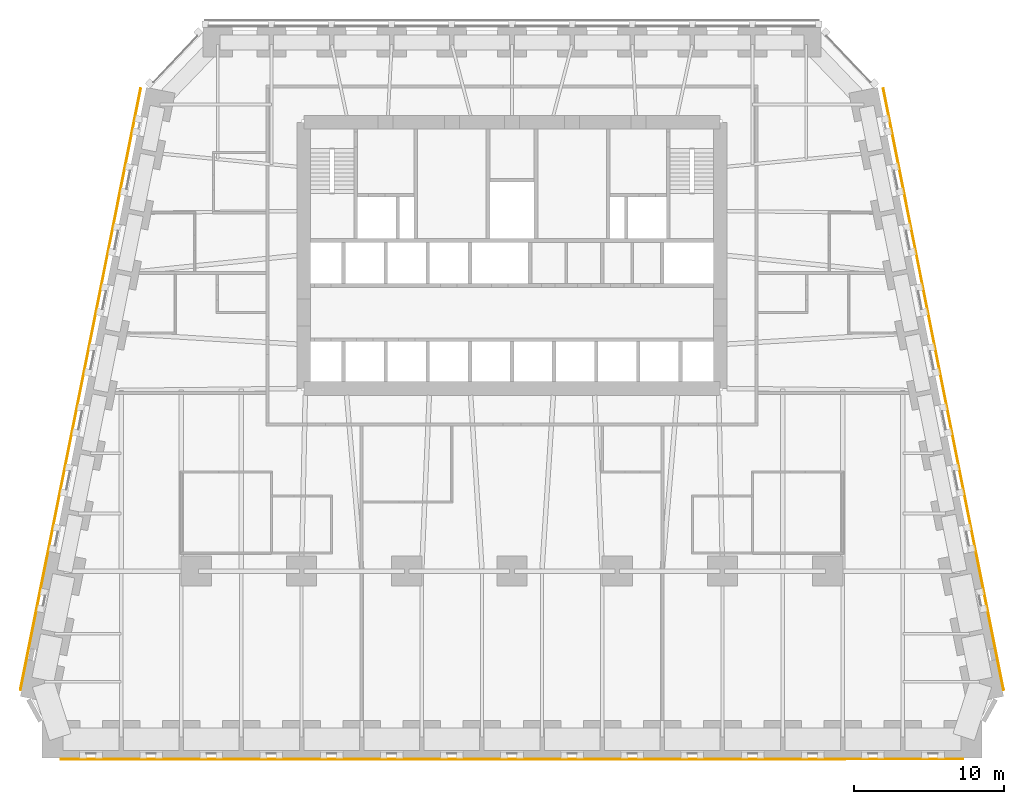
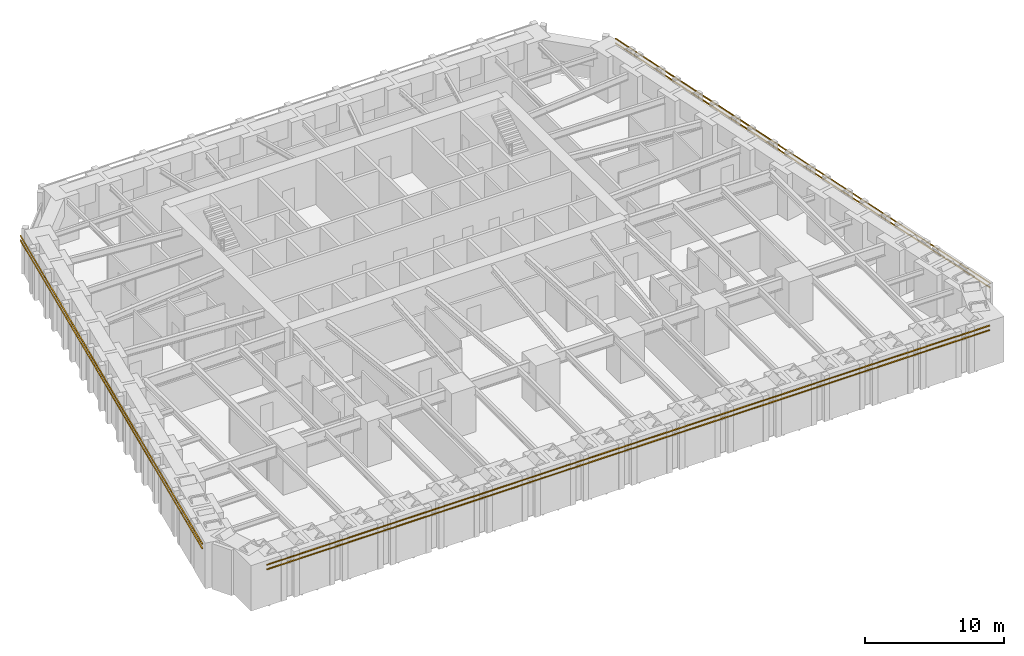
# One storey, part 15 of 16: 6 shading devices.
"""IFC4 building model written with IfcOpenShell, lengths in metres."""

from ifc_helpers import new_model, si_unit, direction, frame, origin, origin_2d, place, context, subcontext, project, spatial, rectangle, extrude, material, material_profile, profile_set, type_object, element, save


model = new_model("IFC4")

# Units and contexts
model_context = context("Model", 3, precision=1e-05, world=origin(), true_north=direction((0.0, 1.0)))
body_context = subcontext(model_context, "Body", "Model", "MODEL_VIEW")
ifc_project = project(units=[si_unit("LENGTHUNIT", "METRE"), si_unit("AREAUNIT", "SQUARE_METRE"), si_unit("VOLUMEUNIT", "CUBIC_METRE"), si_unit("PLANEANGLEUNIT", "RADIAN"), si_unit("MASSUNIT", "GRAM", prefix="KILO")], contexts=[model_context])

# Site, building, storey
site_placement = place(None, origin())
site = spatial("IfcSite", under=ifc_project, at=site_placement, CompositionType="ELEMENT")
building_placement = place(site_placement, origin())
building = spatial("IfcBuilding", under=site, at=building_placement, Name="Isbrekke Arena Tower", CompositionType="ELEMENT")
storey_placement = place(building_placement, frame((0.0, 0.0, 44.0)))
storey = spatial("IfcBuildingStorey", under=building, at=storey_placement, Name="L08", CompositionType="ELEMENT", Elevation=44.0)

# Shading devices
ifc_material = material(Name="Terracotta", Category="masonry")
ifc_material_profile = material_profile(ifc_material, rectangle(XDim=0.06005859375, YDim=0.06005859375, at=origin_2d()), Name="BAGUETTE 60X60")
ifc_profile_set = profile_set([ifc_material_profile], Name="Terracotta")
shading_device_type = type_object("IfcShadingDeviceType", Name="BG1 TERRACOTTA BAGUETTE 60 x 60", PredefinedType="USERDEFINED", material=ifc_profile_set)
for number, where, z_axis, x_axis, name in (
    (1, (-30.0, -18.5048828125, 3.280029296875), (1.0, 0.0, 0.0), (0.0, 1.0, 0.0), "BG1 terracotta baguette S1 L08"),
    (2, (-30.0, -18.5048828125, 3.679931640625), (1.0, 0.0, 0.0), (0.0, 1.0, 0.0), "BG1 terracotta baguette S2 L08"),
):
    element("IfcShadingDevice", number, at=place(storey_placement, frame(where, z_axis=z_axis, x_axis=x_axis)), inside=storey, type_object=shading_device_type, Name=name, ObjectType="TERRACOTTA BAGUETTE", PredefinedType="USERDEFINED", context=body_context, shape_type="SweptSolid", body=[
        extrude(rectangle(XDim=0.06005859375, YDim=0.06005859375, at=origin_2d()), origin(), (0.0, 0.0, 1.0), 60.0),
    ])
for number, where, z_axis, x_axis, name in (
    (3, (32.6953125, -13.90087890625, 3.280029296875), (-0.196116135138, 0.980580675691, 0.0), (-0.980580675691, -0.196116135138, 0.0), "BG1 terracotta baguette E1 L08"),
    (4, (32.6953125, -13.90087890625, 3.679931640625), (-0.196116135138, 0.980580675691, 0.0), (-0.980580675691, -0.196116135138, 0.0), "BG1 terracotta baguette E2 L08"),
    (5, (-24.6953125, 26.09912109375, 3.280029296875), (-0.196116135138, -0.980580675691, 0.0), (0.980580675691, -0.196116135138, 0.0), "BG1 terracotta baguette W1 L08"),
    (6, (-24.6953125, 26.09912109375, 3.679931640625), (-0.196116135138, -0.980580675691, 0.0), (0.980580675691, -0.196116135138, 0.0), "BG1 terracotta baguette W2 L08"),
):
    element("IfcShadingDevice", number, at=place(storey_placement, frame(where, z_axis=z_axis, x_axis=x_axis)), inside=storey, type_object=shading_device_type, Name=name, ObjectType="TERRACOTTA BAGUETTE", PredefinedType="USERDEFINED", context=body_context, shape_type="SweptSolid", body=[
        extrude(rectangle(XDim=0.06005859375, YDim=0.06005859375, at=origin_2d()), origin(), (0.0, 0.0, 1.0), 40.792236328125),
    ])

save(model, "model.ifc")
